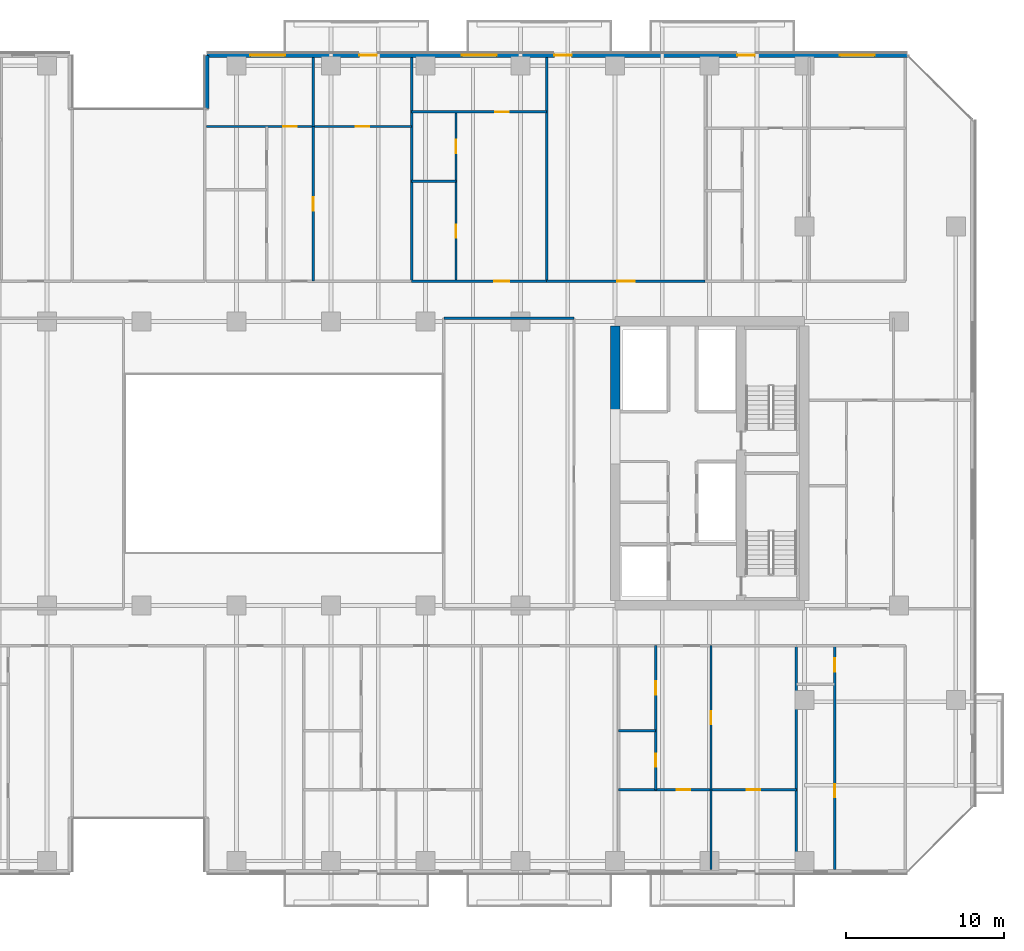
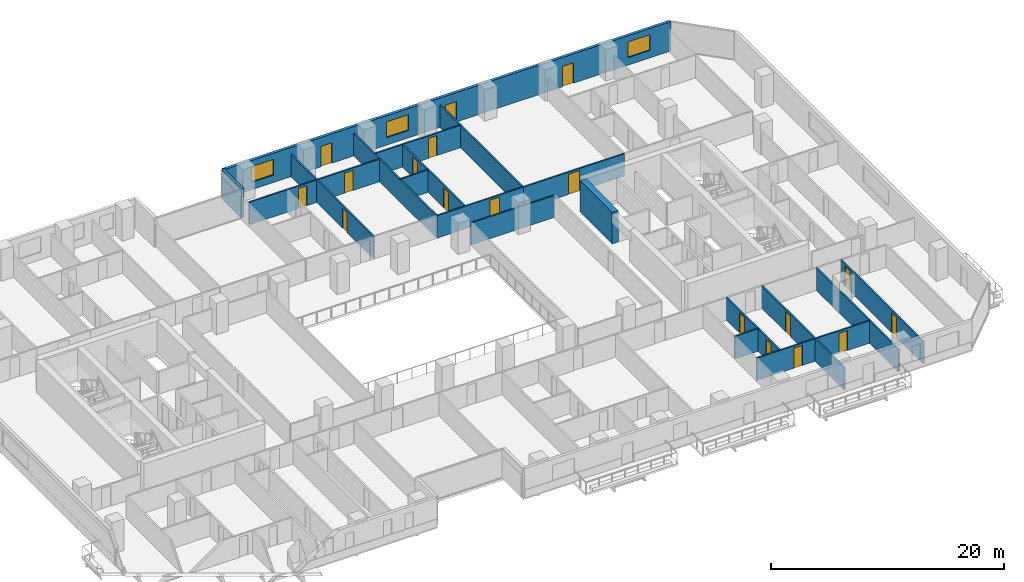
# One storey, part 21 of 33: 21 walls, 18 doors, 3 windows, 21 openings.
"""IFC4 building model written with IfcOpenShell, lengths in metres."""

from ifc_helpers import new_model, si_unit, direction, frame, frame_2d, origin, place, context, subcontext, project, spatial, rectangle, extrude, material, layer, layer_set, type_object, element, fill, save


model = new_model("IFC4")

# Units and contexts
model_context = context("Model", 3, precision=1e-05, world=origin(), true_north=direction((0.0, 1.0)))
body_context = subcontext(model_context, "Body", "Model", "MODEL_VIEW")
ifc_project = project(units=[si_unit("LENGTHUNIT", "METRE"), si_unit("AREAUNIT", "SQUARE_METRE"), si_unit("VOLUMEUNIT", "CUBIC_METRE"), si_unit("PLANEANGLEUNIT", "RADIAN"), si_unit("MASSUNIT", "GRAM", prefix="KILO")], contexts=[model_context])

# Site, building, storey
site_placement = place(None, origin())
site = spatial("IfcSite", under=ifc_project, at=site_placement, CompositionType="ELEMENT")
building_placement = place(site_placement, origin())
building = spatial("IfcBuilding", under=site, at=building_placement, Name="Tanjung Sevakor Pilgrim Tower", CompositionType="ELEMENT")
storey_placement = place(building_placement, frame((0.0, 0.0, 38.93994140625)))
storey = spatial("IfcBuildingStorey", under=building, at=storey_placement, Name="L10", CompositionType="ELEMENT", Elevation=38.93994140625)

# Walls
ifc_material_1 = material(Name="Concrete C60/75", Category="concrete")
ifc_layer_1 = layer(ifc_material_1, 0.60009765625)
ifc_layer_set_1 = layer_set([ifc_layer_1], Name="WALL-CW-600")
wall_type_1 = type_object("IfcWallType", Name="WALL-CW-600", PredefinedType="SHEAR", material=ifc_layer_set_1)
wall_1_placement = place(storey_placement, frame((78.0, 36.800048828125, 0.0), z_axis=(0.0, 0.0, 1.0), x_axis=(0.0, 1.0, 0.0)))
element("IfcWall", 1, at=wall_1_placement, inside=storey, type_object=wall_type_1, Name="L10 E Core Inner Shear Wall North", PredefinedType="SHEAR", context=body_context, shape_type="SweptSolid", body=[
    extrude(rectangle(XDim=5.5, YDim=0.60009765625, at=frame_2d((2.75, 0.0))), origin(), (0.0, 0.0, 1.0), 3.300048828125),
])
ifc_material_2 = material(Name="Concrete C40/50", Category="concrete")
ifc_layer_2 = layer(ifc_material_2, 0.14990234375)
ifc_layer_set_2 = layer_set([ifc_layer_2], Name="WT-COMP-150")
wall_type_2 = type_object("IfcWallType", Name="WT-COMP-150", PredefinedType="SOLIDWALL", material=ifc_layer_set_2)
wall_2_placement = place(storey_placement, frame((67.14990234375, 42.800048828125, 0.0), z_axis=(0.0, 0.0, 1.0), x_axis=(1.0, 0.0, 0.0)))
element("IfcWall", 2, at=wall_2_placement, inside=storey, type_object=wall_type_2, Name="L10 Partition IW-L10-028", PredefinedType="SOLIDWALL", context=body_context, shape_type="SweptSolid", body=[
    extrude(rectangle(XDim=8.25, YDim=0.14990234375, at=frame_2d((4.125, 0.0))), origin(), (0.0, 0.0, 1.0), 2.295166015625),
])
for number, where, z_axis, x_axis, name in (
    (3, (89.4892578125, 7.8798828125, 0.0), (0.0, 0.0, 1.0), (0.0, 1.0, 0.0), "L10 Partition IW-L10-069"),
    (4, (65.10888671875, 45.14990234375, 0.0), (0.0, 0.0, 1.0), (0.0, 1.0, 0.0), "L10 Partition IW-L10-092"),
    (5, (73.669677734375, 45.14990234375, 0.0), (0.0, 0.0, 1.0), (0.0, 1.0, 0.0), "L10 Partition IW-L10-099"),
):
    element("IfcWall", number, at=place(storey_placement, frame(where, z_axis=z_axis, x_axis=x_axis)), inside=storey, type_object=wall_type_2, Name=name, PredefinedType="SOLIDWALL", context=body_context, shape_type="SweptSolid", body=[
        extrude(rectangle(XDim=14.170166015625, YDim=0.14990234375, at=frame_2d((7.0849609375, 0.0))), origin(), (0.0, 0.0, 1.0), 2.35009765625),
    ])

# Wall, opening, door
wall_3_placement = place(storey_placement, frame((65.10888671875, 45.14990234375, 0.0), z_axis=(0.0, 0.0, 1.0), x_axis=(1.0, 0.0, 0.0)))
wall_3 = element("IfcWall", 6, at=wall_3_placement, inside=storey, type_object=wall_type_2, Name="L10 Partition IW-L10-103", PredefinedType="SOLIDWALL", context=body_context, shape_type="SweptSolid", body=[
    extrude(rectangle(XDim=8.560791015625, YDim=0.14990234375, at=frame_2d((4.2802734375, 0.0))), origin(), (0.0, 0.0, 1.0), 2.35009765625),
])
opening_1_placement = place(wall_3_placement, frame((5.2509765625, 0.0, 0.0)))
opening_1 = element("IfcOpeningElement", 7, at=opening_1_placement, cuts=wall_3, Name="Opening ID-FD2", PredefinedType="OPENING", context=body_context, shape_type="SweptSolid", body=[
    extrude(rectangle(XDim=0.949951171875, YDim=2.14990234375, at=frame_2d((0.47509765625, 1.074951171875))), frame((0.0, 0.0849609375, 0.0), z_axis=(0.0, -1.0, 0.0), x_axis=(1.0, 0.0, 0.0)), (0.0, 0.0, 1.0), 0.169921875),
])
ifc_material_3 = material(Name="Fire-Rated Timber", Category="wood")
door_type_1 = type_object("IfcDoorType", Name="DT-FIRE-950", OperationType="NOTDEFINED", PredefinedType="DOOR", material=ifc_material_3)
door_1_placement = place(opening_1_placement, origin())
door_1 = element("IfcDoor", 8, at=door_1_placement, inside=storey, type_object=door_type_1, Name="Residence Entrance", OperationType="SINGLE_SWING_RIGHT", OverallHeight=2.14990234375, OverallWidth=0.949951171875, PredefinedType="DOOR", context=body_context, shape_type="SweptSolid", body=[
    extrude(rectangle(XDim=0.949951171875, YDim=2.14990234375, at=frame_2d((0.47509765625, 1.074951171875))), frame((0.0, 0.02490234375, 0.0), z_axis=(0.0, -1.0, 0.0), x_axis=(1.0, 0.0, 0.0)), (0.0, 0.0, 1.0), 0.050048828125),
])
fill(opening_1, door_1)

wall_4_placement = place(storey_placement, frame((73.669677734375, 45.14990234375, 0.0), z_axis=(0.0, 0.0, 1.0), x_axis=(1.0, 0.0, 0.0)))
wall_4 = element("IfcWall", 9, at=wall_4_placement, inside=storey, type_object=wall_type_2, Name="L10 Partition IW-L10-105", PredefinedType="SOLIDWALL", context=body_context, shape_type="SweptSolid", body=[
    extrude(rectangle(XDim=10.03662109375, YDim=0.14990234375, at=frame_2d((5.018310546875, 0.0))), origin(), (0.0, 0.0, 1.0), 2.35009765625),
])
opening_2_placement = place(wall_4_placement, frame((4.468505859375, 0.0, 0.0)))
opening_2 = element("IfcOpeningElement", 10, at=opening_2_placement, cuts=wall_4, Name="Opening ID-FD0", PredefinedType="OPENING", context=body_context, shape_type="SweptSolid", body=[
    extrude(rectangle(XDim=1.10009765625, YDim=2.14990234375, at=frame_2d((0.550048828125, 1.074951171875))), frame((0.0, 0.0849609375, 0.0), z_axis=(0.0, -1.0, 0.0), x_axis=(1.0, 0.0, 0.0)), (0.0, 0.0, 1.0), 0.169921875),
])
ifc_material_4 = material(Name="Fire-Rated Steel S355J2", Category="steel")
door_type_2 = type_object("IfcDoorType", Name="DT-FIRE-1100", OperationType="NOTDEFINED", PredefinedType="DOOR", material=ifc_material_4)
door_2_placement = place(opening_2_placement, origin())
door_2 = element("IfcDoor", 11, at=door_2_placement, inside=storey, type_object=door_type_2, Name="Council Room Door", OperationType="SINGLE_SWING_LEFT", OverallHeight=2.14990234375, OverallWidth=1.10009765625, PredefinedType="DOOR", context=body_context, shape_type="SweptSolid", body=[
    extrude(rectangle(XDim=1.10009765625, YDim=2.14990234375, at=frame_2d((0.550048828125, 1.074951171875))), frame((0.0, 0.02490234375, 0.0), z_axis=(0.0, -1.0, 0.0), x_axis=(1.0, 0.0, 0.0)), (0.0, 0.0, 1.0), 0.050048828125),
])
fill(opening_2, door_2)

# Wall, openings, doors, windows
ifc_material_5 = material(Name="Precast concrete C45/55", Category="concrete")
ifc_layer_3 = layer(ifc_material_5, 0.280029296875)
ifc_layer_set_3 = layer_set([ifc_layer_3], Name="WT-EW-STN2")
wall_type_3 = type_object("IfcWallType", Name="WT-EW-STN2", PredefinedType="SOLIDWALL", material=ifc_layer_set_3)
wall_5_placement = place(storey_placement, frame((96.5419921875, 59.4599609375, 0.0), z_axis=(0.0, 0.0, 1.0), x_axis=(-1.0, 0.0, 0.0)))
wall_5 = element("IfcWall", 12, at=wall_5_placement, inside=storey, type_object=wall_type_3, Name="L10 MAIN Exterior Wall 9", PredefinedType="SOLIDWALL", context=body_context, shape_type="SweptSolid", body=[
    extrude(rectangle(XDim=44.402099609375, YDim=0.280029296875, at=frame_2d((22.201171875, 0.0))), origin(), (0.0, 0.0, 1.0), 3.080078125),
])
opening_3_placement = place(wall_5_placement, frame((33.64208984375, 0.0, 0.0)))
opening_3 = element("IfcOpeningElement", 13, at=opening_3_placement, cuts=wall_5, Name="Opening ED-BAL-1100", PredefinedType="OPENING", context=body_context, shape_type="SweptSolid", body=[
    extrude(rectangle(XDim=1.10009765625, YDim=2.14990234375, at=frame_2d((0.550048828125, 1.074951171875))), frame((0.0, 0.14990234375, 0.0), z_axis=(0.0, -1.0, 0.0), x_axis=(1.0, 0.0, 0.0)), (0.0, 0.0, 1.0), 0.300048828125),
])
opening_4_placement = place(wall_5_placement, frame((21.2919921875, 0.0, 0.0)))
opening_4 = element("IfcOpeningElement", 14, at=opening_4_placement, cuts=wall_5, Name="Opening ED-BAL-1100", PredefinedType="OPENING", context=body_context, shape_type="SweptSolid", body=[
    extrude(rectangle(XDim=1.10009765625, YDim=2.14990234375, at=frame_2d((0.550048828125, 1.074951171875))), frame((0.0, 0.14990234375, 0.0), z_axis=(0.0, -1.0, 0.0), x_axis=(1.0, 0.0, 0.0)), (0.0, 0.0, 1.0), 0.300048828125),
])
opening_5_placement = place(wall_5_placement, frame((9.69189453125, 0.0, 0.0)))
opening_5 = element("IfcOpeningElement", 15, at=opening_5_placement, cuts=wall_5, Name="Opening ED-BAL-1100", PredefinedType="OPENING", context=body_context, shape_type="SweptSolid", body=[
    extrude(rectangle(XDim=1.10009765625, YDim=2.14990234375, at=frame_2d((0.550048828125, 1.074951171875))), frame((0.0, 0.14990234375, 0.0), z_axis=(0.0, -1.0, 0.0), x_axis=(1.0, 0.0, 0.0)), (0.0, 0.0, 1.0), 0.300048828125),
])
opening_6_placement = place(wall_5_placement, frame((39.454833984375, 0.0, 0.780029296875)))
opening_6 = element("IfcOpeningElement", 16, at=opening_6_placement, cuts=wall_5, Name="Opening WN-Z1-1660", PredefinedType="OPENING", context=body_context, shape_type="SweptSolid", body=[
    extrude(rectangle(XDim=2.199951171875, YDim=1.659912109375, at=frame_2d((1.10009765625, 0.830078125))), frame((0.0, 0.14990234375, 0.0), z_axis=(0.0, -1.0, 0.0), x_axis=(1.0, 0.0, 0.0)), (0.0, 0.0, 1.0), 0.300048828125),
])
opening_7_placement = place(wall_5_placement, frame((26.052734375, 0.0, 0.780029296875)))
opening_7 = element("IfcOpeningElement", 17, at=opening_7_placement, cuts=wall_5, Name="Opening WN-Z1-1660", PredefinedType="OPENING", context=body_context, shape_type="SweptSolid", body=[
    extrude(rectangle(XDim=2.199951171875, YDim=1.659912109375, at=frame_2d((1.10009765625, 0.830078125))), frame((0.0, 0.14990234375, 0.0), z_axis=(0.0, -1.0, 0.0), x_axis=(1.0, 0.0, 0.0)), (0.0, 0.0, 1.0), 0.300048828125),
])
opening_8_placement = place(wall_5_placement, frame((2.098388671875, 0.0, 0.780029296875)))
opening_8 = element("IfcOpeningElement", 18, at=opening_8_placement, cuts=wall_5, Name="Opening WN-Z1-1660", PredefinedType="OPENING", context=body_context, shape_type="SweptSolid", body=[
    extrude(rectangle(XDim=2.199951171875, YDim=1.659912109375, at=frame_2d((1.10009765625, 0.830078125))), frame((0.0, 0.14990234375, 0.0), z_axis=(0.0, -1.0, 0.0), x_axis=(1.0, 0.0, 0.0)), (0.0, 0.0, 1.0), 0.300048828125),
])
ifc_material_6 = material(Name="Anodised Aluminium and Laminated Glass", Category="aluminium")
door_type_3 = type_object("IfcDoorType", Name="DTYP-ED-BAL-1100", OperationType="NOTDEFINED", PredefinedType="DOOR", material=ifc_material_6)
door_3_placement = place(opening_3_placement, frame((1.10009765625, 0.0, 0.0), z_axis=(0.0, 0.0, 1.0), x_axis=(-1.0, 0.0, 0.0)))
door_3 = element("IfcDoor", 19, at=door_3_placement, inside=storey, type_object=door_type_3, Name="L10 Balcony Door MAIN-N2", OperationType="SINGLE_SWING_LEFT", OverallHeight=2.14990234375, OverallWidth=1.10009765625, PredefinedType="DOOR", context=body_context, shape_type="SweptSolid", body=[
    extrude(rectangle(XDim=1.10009765625, YDim=2.14990234375, at=frame_2d((0.550048828125, 1.074951171875))), frame((0.0, 0.02490234375, 0.0), z_axis=(0.0, -1.0, 0.0), x_axis=(1.0, 0.0, 0.0)), (0.0, 0.0, 1.0), 0.050048828125),
])
fill(opening_3, door_3)
door_4_placement = place(opening_4_placement, frame((1.10009765625, 0.0, 0.0), z_axis=(0.0, 0.0, 1.0), x_axis=(-1.0, 0.0, 0.0)))
door_4 = element("IfcDoor", 20, at=door_4_placement, inside=storey, type_object=door_type_3, Name="L10 Balcony Door MAIN-N3", OperationType="SINGLE_SWING_RIGHT", OverallHeight=2.14990234375, OverallWidth=1.10009765625, PredefinedType="DOOR", context=body_context, shape_type="SweptSolid", body=[
    extrude(rectangle(XDim=1.10009765625, YDim=2.14990234375, at=frame_2d((0.550048828125, 1.074951171875))), frame((0.0, 0.02490234375, 0.0), z_axis=(0.0, -1.0, 0.0), x_axis=(1.0, 0.0, 0.0)), (0.0, 0.0, 1.0), 0.050048828125),
])
fill(opening_4, door_4)
door_5_placement = place(opening_5_placement, frame((1.10009765625, 0.0, 0.0), z_axis=(0.0, 0.0, 1.0), x_axis=(-1.0, 0.0, 0.0)))
door_5 = element("IfcDoor", 21, at=door_5_placement, inside=storey, type_object=door_type_3, Name="L10 Balcony Door MAIN-N4", OperationType="SINGLE_SWING_LEFT", OverallHeight=2.14990234375, OverallWidth=1.10009765625, PredefinedType="DOOR", context=body_context, shape_type="SweptSolid", body=[
    extrude(rectangle(XDim=1.10009765625, YDim=2.14990234375, at=frame_2d((0.550048828125, 1.074951171875))), frame((0.0, 0.02490234375, 0.0), z_axis=(0.0, -1.0, 0.0), x_axis=(1.0, 0.0, 0.0)), (0.0, 0.0, 1.0), 0.050048828125),
])
fill(opening_5, door_5)
ifc_material_7 = material(Name="Thermally Broken Aluminium and Low-E Glass", Category="aluminium")
window_type = type_object("IfcWindowType", Name="WTYP-WN-Z1-1660", PartitioningType="DOUBLE_PANEL_VERTICAL", PredefinedType="WINDOW", material=ifc_material_7)
window_1_placement = place(opening_6_placement, origin())
window_1 = element("IfcWindow", 22, at=window_1_placement, inside=storey, type_object=window_type, Name="L10 Facade Window 01", OverallHeight=1.659912109375, OverallWidth=2.199951171875, PartitioningType="SINGLE_PANEL", PredefinedType="WINDOW", context=body_context, shape_type="SweptSolid", body=[
    extrude(rectangle(XDim=2.199951171875, YDim=1.659912109375, at=frame_2d((1.10009765625, 0.830078125))), frame((0.0, 0.030029296875, 0.0), z_axis=(0.0, -1.0, 0.0), x_axis=(1.0, 0.0, 0.0)), (0.0, 0.0, 1.0), 0.06005859375),
])
fill(opening_6, window_1)
window_2_placement = place(opening_7_placement, origin())
window_2 = element("IfcWindow", 23, at=window_2_placement, inside=storey, type_object=window_type, Name="L10 Facade Window 02", OverallHeight=1.659912109375, OverallWidth=2.199951171875, PartitioningType="SINGLE_PANEL", PredefinedType="WINDOW", context=body_context, shape_type="SweptSolid", body=[
    extrude(rectangle(XDim=2.199951171875, YDim=1.659912109375, at=frame_2d((1.10009765625, 0.830078125))), frame((0.0, 0.030029296875, 0.0), z_axis=(0.0, -1.0, 0.0), x_axis=(1.0, 0.0, 0.0)), (0.0, 0.0, 1.0), 0.06005859375),
])
fill(opening_7, window_2)
window_3_placement = place(opening_8_placement, origin())
window_3 = element("IfcWindow", 24, at=window_3_placement, inside=storey, type_object=window_type, Name="L10 Facade Window 03", OverallHeight=1.659912109375, OverallWidth=2.199951171875, PartitioningType="SINGLE_PANEL", PredefinedType="WINDOW", context=body_context, shape_type="SweptSolid", body=[
    extrude(rectangle(XDim=2.199951171875, YDim=1.659912109375, at=frame_2d((1.10009765625, 0.830078125))), frame((0.0, 0.030029296875, 0.0), z_axis=(0.0, -1.0, 0.0), x_axis=(1.0, 0.0, 0.0)), (0.0, 0.0, 1.0), 0.06005859375),
])
fill(opening_8, window_3)

# Wall
wall_6_placement = place(storey_placement, frame((52.139892578125, 59.4599609375, 0.0), z_axis=(0.0, 0.0, 1.0), x_axis=(0.0, -1.0, 0.0)))
element("IfcWall", 25, at=wall_6_placement, inside=storey, type_object=wall_type_3, Name="L10 MAIN Exterior Wall 10", PredefinedType="SOLIDWALL", context=body_context, shape_type="SweptSolid", body=[
    extrude(rectangle(XDim=3.39990234375, YDim=0.280029296875, at=frame_2d((1.699951171875, 0.0))), origin(), (0.0, 0.0, 1.0), 3.080078125),
])

# Wall, opening, door
ifc_material_8 = material(Name="Gypsum Board Partition", Category="gypsum board")
ifc_layer_4 = layer(ifc_material_8, 0.14990234375)
ifc_layer_set_4 = layer_set([ifc_layer_4], Name="WT-PART-150")
wall_type_4 = type_object("IfcWallType", Name="WT-PART-150", PredefinedType="PARTITIONING", material=ifc_layer_set_4)
wall_7_placement = place(storey_placement, frame((84.08349609375, 12.91748046875, 0.0), z_axis=(0.0, 0.0, 1.0), x_axis=(0.0, 1.0, 0.0)))
wall_7 = element("IfcWall", 26, at=wall_7_placement, inside=storey, type_object=wall_type_4, Name="L10 Partition IW-L10-070", PredefinedType="PARTITIONING", context=body_context, shape_type="SweptSolid", body=[
    extrude(rectangle(XDim=9.132568359375, YDim=0.14990234375, at=frame_2d((4.56640625, 0.0))), origin(), (0.0, 0.0, 1.0), 2.35009765625),
])
opening_9_placement = place(wall_7_placement, frame((4.141357421875, 0.0, 0.0)))
opening_9 = element("IfcOpeningElement", 27, at=opening_9_placement, cuts=wall_7, Name="Opening ID-WC1", PredefinedType="OPENING", context=body_context, shape_type="SweptSolid", body=[
    extrude(rectangle(XDim=0.85009765625, YDim=2.10009765625, at=frame_2d((0.425048828125, 1.050048828125))), frame((0.0, 0.0849609375, 0.0), z_axis=(0.0, -1.0, 0.0), x_axis=(1.0, 0.0, 0.0)), (0.0, 0.0, 1.0), 0.169921875),
])
ifc_material_9 = material(Name="Moisture-Resistant Timber", Category="wood")
door_type_4 = type_object("IfcDoorType", Name="DT-INT-850", OperationType="NOTDEFINED", PredefinedType="DOOR", material=ifc_material_9)
door_6_placement = place(opening_9_placement, origin())
door_6 = element("IfcDoor", 28, at=door_6_placement, inside=storey, type_object=door_type_4, Name="Suite Study Room Door", OperationType="SINGLE_SWING_RIGHT", OverallHeight=2.10009765625, OverallWidth=0.85009765625, PredefinedType="DOOR", context=body_context, shape_type="SweptSolid", body=[
    extrude(rectangle(XDim=0.85009765625, YDim=2.10009765625, at=frame_2d((0.425048828125, 1.050048828125))), frame((0.0, 0.02490234375, 0.0), z_axis=(0.0, -1.0, 0.0), x_axis=(1.0, 0.0, 0.0)), (0.0, 0.0, 1.0), 0.050048828125),
])
fill(opening_9, door_6)

# Wall
wall_8_placement = place(storey_placement, frame((78.227294921875, 16.661865234375, 0.0), z_axis=(0.0, 0.0, 1.0), x_axis=(1.0, 0.0, 0.0)))
element("IfcWall", 29, at=wall_8_placement, inside=storey, type_object=wall_type_4, Name="L10 Partition IW-L10-071", PredefinedType="PARTITIONING", context=body_context, shape_type="SweptSolid", body=[
    extrude(rectangle(XDim=2.35009765625, YDim=0.14990234375, at=frame_2d((1.175048828125, 0.0))), origin(), (0.0, 0.0, 1.0), 2.35009765625),
])

# Wall, openings, doors
wall_9_placement = place(storey_placement, frame((80.577392578125, 12.91748046875, 0.0), z_axis=(0.0, 0.0, 1.0), x_axis=(0.0, 1.0, 0.0)))
wall_9 = element("IfcWall", 30, at=wall_9_placement, inside=storey, type_object=wall_type_4, Name="L10 Partition IW-L10-072", PredefinedType="PARTITIONING", context=body_context, shape_type="SweptSolid", body=[
    extrude(rectangle(XDim=9.132568359375, YDim=0.14990234375, at=frame_2d((4.56640625, 0.0))), origin(), (0.0, 0.0, 1.0), 2.35009765625),
])
opening_10_placement = place(wall_9_placement, frame((1.447265625, 0.0, 0.0)))
opening_10 = element("IfcOpeningElement", 31, at=opening_10_placement, cuts=wall_9, Name="Opening ID-WC1", PredefinedType="OPENING", context=body_context, shape_type="SweptSolid", body=[
    extrude(rectangle(XDim=0.85009765625, YDim=2.10009765625, at=frame_2d((0.425048828125, 1.050048828125))), frame((0.0, 0.0849609375, 0.0), z_axis=(0.0, -1.0, 0.0), x_axis=(1.0, 0.0, 0.0)), (0.0, 0.0, 1.0), 0.169921875),
])
opening_11_placement = place(wall_9_placement, frame((6.013427734375, 0.0, 0.0)))
opening_11 = element("IfcOpeningElement", 32, at=opening_11_placement, cuts=wall_9, Name="Opening ID-WC1", PredefinedType="OPENING", context=body_context, shape_type="SweptSolid", body=[
    extrude(rectangle(XDim=0.85009765625, YDim=2.10009765625, at=frame_2d((0.425048828125, 1.050048828125))), frame((0.0, 0.0849609375, 0.0), z_axis=(0.0, -1.0, 0.0), x_axis=(1.0, 0.0, 0.0)), (0.0, 0.0, 1.0), 0.169921875),
])
door_7_placement = place(opening_10_placement, origin())
door_7 = element("IfcDoor", 33, at=door_7_placement, inside=storey, type_object=door_type_4, Name="Suite Bathroom Door", OperationType="SINGLE_SWING_LEFT", OverallHeight=2.10009765625, OverallWidth=0.85009765625, PredefinedType="DOOR", context=body_context, shape_type="SweptSolid", body=[
    extrude(rectangle(XDim=0.85009765625, YDim=2.10009765625, at=frame_2d((0.425048828125, 1.050048828125))), frame((0.0, 0.02490234375, 0.0), z_axis=(0.0, -1.0, 0.0), x_axis=(1.0, 0.0, 0.0)), (0.0, 0.0, 1.0), 0.050048828125),
])
fill(opening_10, door_7)
door_8_placement = place(opening_11_placement, origin())
door_8 = element("IfcDoor", 34, at=door_8_placement, inside=storey, type_object=door_type_4, Name="Suite Kitchenette Door", OperationType="SINGLE_SWING_RIGHT", OverallHeight=2.10009765625, OverallWidth=0.85009765625, PredefinedType="DOOR", context=body_context, shape_type="SweptSolid", body=[
    extrude(rectangle(XDim=0.85009765625, YDim=2.10009765625, at=frame_2d((0.425048828125, 1.050048828125))), frame((0.0, 0.02490234375, 0.0), z_axis=(0.0, -1.0, 0.0), x_axis=(1.0, 0.0, 0.0)), (0.0, 0.0, 1.0), 0.050048828125),
])
fill(opening_11, door_8)

# Wall
wall_10_placement = place(storey_placement, frame((84.08349609375, 7.8798828125, 0.0), z_axis=(0.0, 0.0, 1.0), x_axis=(0.0, 1.0, 0.0)))
element("IfcWall", 35, at=wall_10_placement, inside=storey, type_object=wall_type_4, Name="L10 Partition IW-L10-073", PredefinedType="PARTITIONING", context=body_context, shape_type="SweptSolid", body=[
    extrude(rectangle(XDim=5.03759765625, YDim=0.14990234375, at=frame_2d((2.518798828125, 0.0))), origin(), (0.0, 0.0, 1.0), 2.35009765625),
])

# Wall, openings, doors
wall_11_placement = place(storey_placement, frame((78.227294921875, 12.91748046875, 0.0), z_axis=(0.0, 0.0, 1.0), x_axis=(1.0, 0.0, 0.0)))
wall_11 = element("IfcWall", 36, at=wall_11_placement, inside=storey, type_object=wall_type_4, Name="L10 Partition IW-L10-074", PredefinedType="PARTITIONING", context=body_context, shape_type="SweptSolid", body=[
    extrude(rectangle(XDim=11.261962890625, YDim=0.14990234375, at=frame_2d((5.630859375, 0.0))), origin(), (0.0, 0.0, 1.0), 2.35009765625),
])
opening_12_placement = place(wall_11_placement, frame((3.677978515625, 0.0, 0.0)))
opening_12 = element("IfcOpeningElement", 37, at=opening_12_placement, cuts=wall_11, Name="Opening ID-WC1", PredefinedType="OPENING", context=body_context, shape_type="SweptSolid", body=[
    extrude(rectangle(XDim=0.85009765625, YDim=2.10009765625, at=frame_2d((0.425048828125, 1.050048828125))), frame((0.0, 0.0849609375, 0.0), z_axis=(0.0, -1.0, 0.0), x_axis=(1.0, 0.0, 0.0)), (0.0, 0.0, 1.0), 0.169921875),
])
opening_13_placement = place(wall_11_placement, frame((8.134033203125, 0.0, 0.0)))
opening_13 = element("IfcOpeningElement", 38, at=opening_13_placement, cuts=wall_11, Name="Opening ID-WC1", PredefinedType="OPENING", context=body_context, shape_type="SweptSolid", body=[
    extrude(rectangle(XDim=0.85009765625, YDim=2.10009765625, at=frame_2d((0.425048828125, 1.050048828125))), frame((0.0, 0.0849609375, 0.0), z_axis=(0.0, -1.0, 0.0), x_axis=(1.0, 0.0, 0.0)), (0.0, 0.0, 1.0), 0.169921875),
])
door_9_placement = place(opening_12_placement, origin())
door_9 = element("IfcDoor", 39, at=door_9_placement, inside=storey, type_object=door_type_4, Name="Suite Bedroom 1 Door", OperationType="SINGLE_SWING_LEFT", OverallHeight=2.10009765625, OverallWidth=0.85009765625, PredefinedType="DOOR", context=body_context, shape_type="SweptSolid", body=[
    extrude(rectangle(XDim=0.85009765625, YDim=2.10009765625, at=frame_2d((0.425048828125, 1.050048828125))), frame((0.0, 0.02490234375, 0.0), z_axis=(0.0, -1.0, 0.0), x_axis=(1.0, 0.0, 0.0)), (0.0, 0.0, 1.0), 0.050048828125),
])
fill(opening_12, door_9)
door_10_placement = place(opening_13_placement, origin())
door_10 = element("IfcDoor", 40, at=door_10_placement, inside=storey, type_object=door_type_4, Name="Suite Bedroom 2 Door", OperationType="SINGLE_SWING_RIGHT", OverallHeight=2.10009765625, OverallWidth=0.85009765625, PredefinedType="DOOR", context=body_context, shape_type="SweptSolid", body=[
    extrude(rectangle(XDim=0.85009765625, YDim=2.10009765625, at=frame_2d((0.425048828125, 1.050048828125))), frame((0.0, 0.02490234375, 0.0), z_axis=(0.0, -1.0, 0.0), x_axis=(1.0, 0.0, 0.0)), (0.0, 0.0, 1.0), 0.050048828125),
])
fill(opening_13, door_10)

wall_12_placement = place(storey_placement, frame((91.919921875, 7.8798828125, 0.0), z_axis=(0.0, 0.0, 1.0), x_axis=(0.0, 1.0, 0.0)))
wall_12 = element("IfcWall", 41, at=wall_12_placement, inside=storey, type_object=wall_type_4, Name="L10 Partition IW-L10-077", PredefinedType="PARTITIONING", context=body_context, shape_type="SweptSolid", body=[
    extrude(rectangle(XDim=14.170166015625, YDim=0.14990234375, at=frame_2d((7.0849609375, 0.0))), origin(), (0.0, 0.0, 1.0), 2.35009765625),
])
opening_14_placement = place(wall_12_placement, frame((4.548095703125, 0.0, 0.0)))
opening_14 = element("IfcOpeningElement", 42, at=opening_14_placement, cuts=wall_12, Name="Opening ID-WC1", PredefinedType="OPENING", context=body_context, shape_type="SweptSolid", body=[
    extrude(rectangle(XDim=0.85009765625, YDim=2.10009765625, at=frame_2d((0.425048828125, 1.050048828125))), frame((0.0, 0.0849609375, 0.0), z_axis=(0.0, -1.0, 0.0), x_axis=(1.0, 0.0, 0.0)), (0.0, 0.0, 1.0), 0.169921875),
])
opening_15_placement = place(wall_12_placement, frame((12.52001953125, 0.0, 0.0)))
opening_15 = element("IfcOpeningElement", 43, at=opening_15_placement, cuts=wall_12, Name="Opening ID-WC1", PredefinedType="OPENING", context=body_context, shape_type="SweptSolid", body=[
    extrude(rectangle(XDim=0.85009765625, YDim=2.10009765625, at=frame_2d((0.425048828125, 1.050048828125))), frame((0.0, 0.0849609375, 0.0), z_axis=(0.0, -1.0, 0.0), x_axis=(1.0, 0.0, 0.0)), (0.0, 0.0, 1.0), 0.169921875),
])
door_11_placement = place(opening_14_placement, origin())
door_11 = element("IfcDoor", 44, at=door_11_placement, inside=storey, type_object=door_type_4, Name="Study Nook Door", OperationType="SINGLE_SWING_RIGHT", OverallHeight=2.10009765625, OverallWidth=0.85009765625, PredefinedType="DOOR", context=body_context, shape_type="SweptSolid", body=[
    extrude(rectangle(XDim=0.85009765625, YDim=2.10009765625, at=frame_2d((0.425048828125, 1.050048828125))), frame((0.0, 0.02490234375, 0.0), z_axis=(0.0, -1.0, 0.0), x_axis=(1.0, 0.0, 0.0)), (0.0, 0.0, 1.0), 0.050048828125),
])
fill(opening_14, door_11)
door_12_placement = place(opening_15_placement, origin())
door_12 = element("IfcDoor", 45, at=door_12_placement, inside=storey, type_object=door_type_4, Name="Bathroom Door", OperationType="SINGLE_SWING_LEFT", OverallHeight=2.10009765625, OverallWidth=0.85009765625, PredefinedType="DOOR", context=body_context, shape_type="SweptSolid", body=[
    extrude(rectangle(XDim=0.85009765625, YDim=2.10009765625, at=frame_2d((0.425048828125, 1.050048828125))), frame((0.0, 0.02490234375, 0.0), z_axis=(0.0, -1.0, 0.0), x_axis=(1.0, 0.0, 0.0)), (0.0, 0.0, 1.0), 0.050048828125),
])
fill(opening_15, door_12)

# Wall, opening, door
wall_13_placement = place(storey_placement, frame((58.874267578125, 45.14990234375, 0.0), z_axis=(0.0, 0.0, 1.0), x_axis=(0.0, 1.0, 0.0)))
wall_13 = element("IfcWall", 46, at=wall_13_placement, inside=storey, type_object=wall_type_4, Name="L10 Partition IW-L10-093", PredefinedType="PARTITIONING", context=body_context, shape_type="SweptSolid", body=[
    extrude(rectangle(XDim=9.802490234375, YDim=0.14990234375, at=frame_2d((4.9013671875, 0.0))), origin(), (0.0, 0.0, 1.0), 2.35009765625),
])
opening_16_placement = place(wall_13_placement, frame((4.476318359375, 0.0, 0.0)))
opening_16 = element("IfcOpeningElement", 47, at=opening_16_placement, cuts=wall_13, Name="Opening ID-WC1", PredefinedType="OPENING", context=body_context, shape_type="SweptSolid", body=[
    extrude(rectangle(XDim=0.85009765625, YDim=2.10009765625, at=frame_2d((0.425048828125, 1.050048828125))), frame((0.0, 0.0849609375, 0.0), z_axis=(0.0, -1.0, 0.0), x_axis=(1.0, 0.0, 0.0)), (0.0, 0.0, 1.0), 0.169921875),
])
door_13_placement = place(opening_16_placement, origin())
door_13 = element("IfcDoor", 48, at=door_13_placement, inside=storey, type_object=door_type_4, Name="Suite Study Room Door", OperationType="SINGLE_SWING_LEFT", OverallHeight=2.10009765625, OverallWidth=0.85009765625, PredefinedType="DOOR", context=body_context, shape_type="SweptSolid", body=[
    extrude(rectangle(XDim=0.85009765625, YDim=2.10009765625, at=frame_2d((0.425048828125, 1.050048828125))), frame((0.0, 0.02490234375, 0.0), z_axis=(0.0, -1.0, 0.0), x_axis=(1.0, 0.0, 0.0)), (0.0, 0.0, 1.0), 0.050048828125),
])
fill(opening_16, door_13)

# Wall
wall_14_placement = place(storey_placement, frame((58.874267578125, 54.952392578125, 0.0), z_axis=(0.0, 0.0, 1.0), x_axis=(0.0, 1.0, 0.0)))
element("IfcWall", 49, at=wall_14_placement, inside=storey, type_object=wall_type_4, Name="L10 Partition IW-L10-096", PredefinedType="PARTITIONING", context=body_context, shape_type="SweptSolid", body=[
    extrude(rectangle(XDim=4.36767578125, YDim=0.14990234375, at=frame_2d((2.183837890625, 0.0))), origin(), (0.0, 0.0, 1.0), 2.35009765625),
])

# Wall, openings, doors
wall_15_placement = place(storey_placement, frame((52.1201171875, 54.952392578125, 0.0), z_axis=(0.0, 0.0, 1.0), x_axis=(1.0, 0.0, 0.0)))
wall_15 = element("IfcWall", 50, at=wall_15_placement, inside=storey, type_object=wall_type_4, Name="L10 Partition IW-L10-097", PredefinedType="PARTITIONING", context=body_context, shape_type="SweptSolid", body=[
    extrude(rectangle(XDim=12.98876953125, YDim=0.14990234375, at=frame_2d((6.494384765625, 0.0))), origin(), (0.0, 0.0, 1.0), 2.35009765625),
])
opening_17_placement = place(wall_15_placement, frame((4.85205078125, 0.0, 0.0)))
opening_17 = element("IfcOpeningElement", 51, at=opening_17_placement, cuts=wall_15, Name="Opening ID-WC1", PredefinedType="OPENING", context=body_context, shape_type="SweptSolid", body=[
    extrude(rectangle(XDim=0.85009765625, YDim=2.10009765625, at=frame_2d((0.425048828125, 1.050048828125))), frame((0.0, 0.0849609375, 0.0), z_axis=(0.0, -1.0, 0.0), x_axis=(1.0, 0.0, 0.0)), (0.0, 0.0, 1.0), 0.169921875),
])
opening_18_placement = place(wall_15_placement, frame((9.446533203125, 0.0, 0.0)))
opening_18 = element("IfcOpeningElement", 52, at=opening_18_placement, cuts=wall_15, Name="Opening ID-WC1", PredefinedType="OPENING", context=body_context, shape_type="SweptSolid", body=[
    extrude(rectangle(XDim=0.85009765625, YDim=2.10009765625, at=frame_2d((0.425048828125, 1.050048828125))), frame((0.0, 0.0849609375, 0.0), z_axis=(0.0, -1.0, 0.0), x_axis=(1.0, 0.0, 0.0)), (0.0, 0.0, 1.0), 0.169921875),
])
door_14_placement = place(opening_17_placement, origin())
door_14 = element("IfcDoor", 53, at=door_14_placement, inside=storey, type_object=door_type_4, Name="Suite Bedroom 1 Door", OperationType="SINGLE_SWING_RIGHT", OverallHeight=2.10009765625, OverallWidth=0.85009765625, PredefinedType="DOOR", context=body_context, shape_type="SweptSolid", body=[
    extrude(rectangle(XDim=0.85009765625, YDim=2.10009765625, at=frame_2d((0.425048828125, 1.050048828125))), frame((0.0, 0.02490234375, 0.0), z_axis=(0.0, -1.0, 0.0), x_axis=(1.0, 0.0, 0.0)), (0.0, 0.0, 1.0), 0.050048828125),
])
fill(opening_17, door_14)
door_15_placement = place(opening_18_placement, origin())
door_15 = element("IfcDoor", 54, at=door_15_placement, inside=storey, type_object=door_type_4, Name="Suite Bedroom 2 Door", OperationType="SINGLE_SWING_LEFT", OverallHeight=2.10009765625, OverallWidth=0.85009765625, PredefinedType="DOOR", context=body_context, shape_type="SweptSolid", body=[
    extrude(rectangle(XDim=0.85009765625, YDim=2.10009765625, at=frame_2d((0.425048828125, 1.050048828125))), frame((0.0, 0.02490234375, 0.0), z_axis=(0.0, -1.0, 0.0), x_axis=(1.0, 0.0, 0.0)), (0.0, 0.0, 1.0), 0.050048828125),
])
fill(opening_18, door_15)

# Wall
wall_16_placement = place(storey_placement, frame((65.10888671875, 51.477294921875, 0.0), z_axis=(0.0, 0.0, 1.0), x_axis=(1.0, 0.0, 0.0)))
element("IfcWall", 55, at=wall_16_placement, inside=storey, type_object=wall_type_4, Name="L10 Partition IW-L10-100", PredefinedType="PARTITIONING", context=body_context, shape_type="SweptSolid", body=[
    extrude(rectangle(XDim=2.81103515625, YDim=0.14990234375, at=frame_2d((1.405517578125, 0.0))), origin(), (0.0, 0.0, 1.0), 2.35009765625),
])

# Wall, openings, doors
wall_17_placement = place(storey_placement, frame((67.919921875, 45.14990234375, 0.0), z_axis=(0.0, 0.0, 1.0), x_axis=(0.0, 1.0, 0.0)))
wall_17 = element("IfcWall", 56, at=wall_17_placement, inside=storey, type_object=wall_type_4, Name="L10 Partition IW-L10-101", PredefinedType="PARTITIONING", context=body_context, shape_type="SweptSolid", body=[
    extrude(rectangle(XDim=10.72412109375, YDim=0.14990234375, at=frame_2d((5.362060546875, 0.0))), origin(), (0.0, 0.0, 1.0), 2.35009765625),
])
opening_19_placement = place(wall_17_placement, frame((2.738525390625, 0.0, 0.0)))
opening_19 = element("IfcOpeningElement", 57, at=opening_19_placement, cuts=wall_17, Name="Opening ID-WC1", PredefinedType="OPENING", context=body_context, shape_type="SweptSolid", body=[
    extrude(rectangle(XDim=0.85009765625, YDim=2.10009765625, at=frame_2d((0.425048828125, 1.050048828125))), frame((0.0, 0.0849609375, 0.0), z_axis=(0.0, -1.0, 0.0), x_axis=(1.0, 0.0, 0.0)), (0.0, 0.0, 1.0), 0.169921875),
])
opening_20_placement = place(wall_17_placement, frame((8.1005859375, 0.0, 0.0)))
opening_20 = element("IfcOpeningElement", 58, at=opening_20_placement, cuts=wall_17, Name="Opening ID-WC1", PredefinedType="OPENING", context=body_context, shape_type="SweptSolid", body=[
    extrude(rectangle(XDim=0.85009765625, YDim=2.10009765625, at=frame_2d((0.425048828125, 1.050048828125))), frame((0.0, 0.0849609375, 0.0), z_axis=(0.0, -1.0, 0.0), x_axis=(1.0, 0.0, 0.0)), (0.0, 0.0, 1.0), 0.169921875),
])
door_16_placement = place(opening_19_placement, origin())
door_16 = element("IfcDoor", 59, at=door_16_placement, inside=storey, type_object=door_type_4, Name="Residence Kitchenette Door", OperationType="SINGLE_SWING_LEFT", OverallHeight=2.10009765625, OverallWidth=0.85009765625, PredefinedType="DOOR", context=body_context, shape_type="SweptSolid", body=[
    extrude(rectangle(XDim=0.85009765625, YDim=2.10009765625, at=frame_2d((0.425048828125, 1.050048828125))), frame((0.0, 0.02490234375, 0.0), z_axis=(0.0, -1.0, 0.0), x_axis=(1.0, 0.0, 0.0)), (0.0, 0.0, 1.0), 0.050048828125),
])
fill(opening_19, door_16)
door_17_placement = place(opening_20_placement, origin())
door_17 = element("IfcDoor", 60, at=door_17_placement, inside=storey, type_object=door_type_4, Name="Residence Bathroom Door", OperationType="SINGLE_SWING_RIGHT", OverallHeight=2.10009765625, OverallWidth=0.85009765625, PredefinedType="DOOR", context=body_context, shape_type="SweptSolid", body=[
    extrude(rectangle(XDim=0.85009765625, YDim=2.10009765625, at=frame_2d((0.425048828125, 1.050048828125))), frame((0.0, 0.02490234375, 0.0), z_axis=(0.0, -1.0, 0.0), x_axis=(1.0, 0.0, 0.0)), (0.0, 0.0, 1.0), 0.050048828125),
])
fill(opening_20, door_17)

# Wall, opening, door
wall_18_placement = place(storey_placement, frame((65.10888671875, 55.8740234375, 0.0), z_axis=(0.0, 0.0, 1.0), x_axis=(1.0, 0.0, 0.0)))
wall_18 = element("IfcWall", 61, at=wall_18_placement, inside=storey, type_object=wall_type_4, Name="L10 Partition IW-L10-102", PredefinedType="PARTITIONING", context=body_context, shape_type="SweptSolid", body=[
    extrude(rectangle(XDim=8.560791015625, YDim=0.14990234375, at=frame_2d((4.2802734375, 0.0))), origin(), (0.0, 0.0, 1.0), 2.35009765625),
])
opening_21_placement = place(wall_18_placement, frame((5.301025390625, 0.0, 0.0)))
opening_21 = element("IfcOpeningElement", 62, at=opening_21_placement, cuts=wall_18, Name="Opening ID-WC1", PredefinedType="OPENING", context=body_context, shape_type="SweptSolid", body=[
    extrude(rectangle(XDim=0.85009765625, YDim=2.10009765625, at=frame_2d((0.425048828125, 1.050048828125))), frame((0.0, 0.0849609375, 0.0), z_axis=(0.0, -1.0, 0.0), x_axis=(1.0, 0.0, 0.0)), (0.0, 0.0, 1.0), 0.169921875),
])
door_18_placement = place(opening_21_placement, origin())
door_18 = element("IfcDoor", 63, at=door_18_placement, inside=storey, type_object=door_type_4, Name="Residence Bedroom Door", OperationType="SINGLE_SWING_LEFT", OverallHeight=2.10009765625, OverallWidth=0.85009765625, PredefinedType="DOOR", context=body_context, shape_type="SweptSolid", body=[
    extrude(rectangle(XDim=0.85009765625, YDim=2.10009765625, at=frame_2d((0.425048828125, 1.050048828125))), frame((0.0, 0.02490234375, 0.0), z_axis=(0.0, -1.0, 0.0), x_axis=(1.0, 0.0, 0.0)), (0.0, 0.0, 1.0), 0.050048828125),
])
fill(opening_21, door_18)

save(model, "model.ifc")
